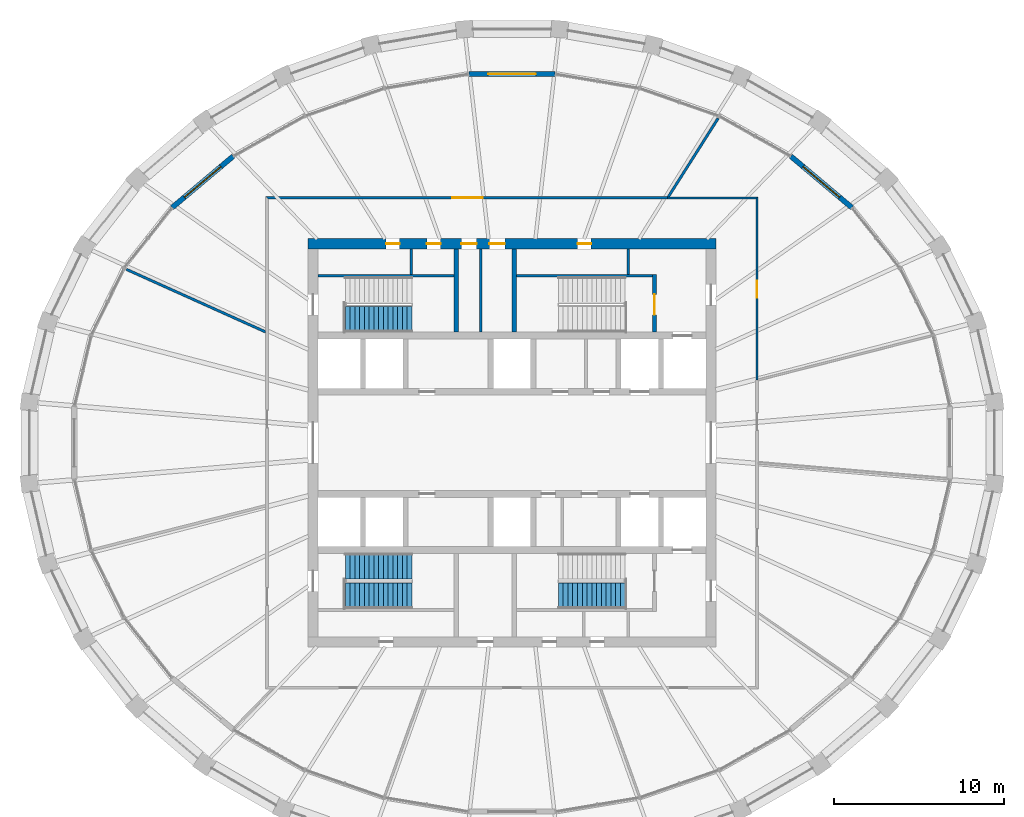
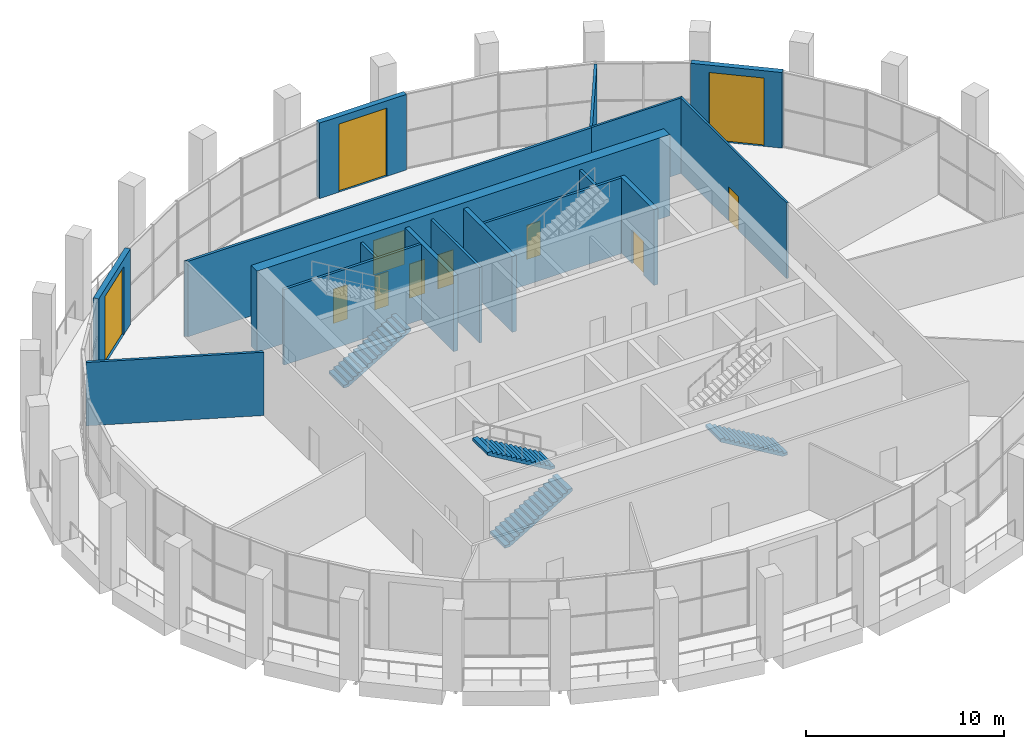
# One storey, part 12 of 15: 17 walls, 11 doors, 4 stair flights, 11 openings, 3 elements without a shape of their own.
"""IFC4 building model written with IfcOpenShell, lengths in metres."""

from ifc_helpers import new_model, si_unit, direction, frame, frame_2d, origin, place, context, subcontext, project, spatial, polyline, rectangle, outline, extrude, material, layer, layer_set, type_object, element, fill, aggregate, save


model = new_model("IFC4")

# Units and contexts
model_context = context("Model", 3, precision=1e-05, world=origin(), true_north=direction((0.0, 1.0)))
body_context = subcontext(model_context, "Body", "Model", "MODEL_VIEW")
ifc_project = project(units=[si_unit("LENGTHUNIT", "METRE"), si_unit("AREAUNIT", "SQUARE_METRE"), si_unit("VOLUMEUNIT", "CUBIC_METRE"), si_unit("PLANEANGLEUNIT", "RADIAN"), si_unit("MASSUNIT", "GRAM", prefix="KILO")], contexts=[model_context])

# Site, building, storey
site_placement = place(None, origin())
site = spatial("IfcSite", under=ifc_project, at=site_placement, CompositionType="ELEMENT")
building_placement = place(site_placement, origin())
building = spatial("IfcBuilding", under=site, at=building_placement, Name="Halqa Exchange Tower", CompositionType="ELEMENT")
storey_placement = place(building_placement, frame((0.0, 0.0, 338.300048828125)))
storey = spatial("IfcBuildingStorey", under=building, at=storey_placement, Name="L79", CompositionType="ELEMENT", Elevation=338.300048828125)

# Walls
ifc_material_1 = material(Name="Gypsum board")
ifc_layer_1 = layer(ifc_material_1, 0.14990234375)
ifc_layer_set_1 = layer_set([ifc_layer_1], Name="Gypsum board")
wall_type_1 = type_object("IfcWallType", Name="Acoustic partition 150", PredefinedType="PARTITIONING", material=ifc_layer_set_1)
wall_1_placement = place(storey_placement, frame((-14.444580078125, 6.5, 0.0), z_axis=(0.0, 0.0, 1.0), x_axis=(-0.912043070278, 0.410094425662, 0.0)))
element("IfcWall", 1, at=wall_1_placement, inside=storey, type_object=wall_type_1, Name="L79-PWL-004", PredefinedType="PARTITIONING", context=body_context, shape_type="SweptSolid", body=[
    extrude(outline(polyline([(0.067138671875, -0.074951171875), (1.8525390625, -0.074951171875), (3.637939453125, -0.074951171875), (5.42333984375, -0.074951171875), (7.208740234375, -0.074951171875), (8.994140625, -0.074951171875), (9.013427734375, 0.000732421875), (9.015625, 0.06689453125), (9.015625, 0.074951171875), (7.21240234375, 0.074951171875), (5.409423828125, 0.074951171875), (3.606201171875, 0.074951171875), (1.80322265625, 0.074951171875), (0.0, 0.074951171875), (0.0, 0.07421875), (0.067138671875, -0.074951171875)])), origin(), (0.0, 0.0, 1.0), 3.89697265625),
])
wall_2_placement = place(storey_placement, frame((12.119384765625, 19.076904296875, 0.0), z_axis=(0.0, 0.0, 1.0), x_axis=(-0.536016173419, -0.844207712493, 0.0)))
element("IfcWall", 2, at=wall_2_placement, inside=storey, type_object=wall_type_1, Name="L79-PWL-010", PredefinedType="PARTITIONING", context=body_context, shape_type="SweptSolid", body=[
    extrude(outline(polyline([(5.49853515625, -0.074951171875), (5.49853515625, -0.07470703125), (5.4765625, -0.0400390625), (5.4892578125, -0.031982421875), (5.472412109375, -0.005615234375), (5.472412109375, -0.005615234375), (5.42138671875, 0.074951171875), (3.6142578125, 0.074951171875), (1.80712890625, 0.074951171875), (0.0, 0.074951171875), (0.004150390625, -0.002685546875), (0.021240234375, -0.074951171875), (1.846923828125, -0.074951171875), (3.6728515625, -0.074951171875), (5.49853515625, -0.074951171875)])), origin(), (0.0, 0.0, 1.0), 4.64990234375),
])

# Wall, opening, door
ifc_material_2 = material(Name="Fire-rated gypsum board")
ifc_layer_2 = layer(ifc_material_2, 0.14990234375)
ifc_layer_set_2 = layer_set([ifc_layer_2], Name="Fire-rated gypsum board")
wall_type_2 = type_object("IfcWallType", Name="Fire partition EI 60 150", PredefinedType="PARTITIONING", material=ifc_layer_set_2)
wall_3_placement = place(storey_placement, frame((-14.47509765625, 14.39990234375, 0.0), z_axis=(0.0, 0.0, 1.0), x_axis=(1.0, 0.0, 0.0)))
wall_3 = element("IfcWall", 3, at=wall_3_placement, inside=storey, type_object=wall_type_2, Name="L79-PWL-005", PredefinedType="PARTITIONING", context=body_context, shape_type="SweptSolid", body=[
    extrude(outline(polyline([(23.625, 0.074951171875), (21.65625, 0.074951171875), (19.6875, 0.074951171875), (17.71875, 0.074951171875), (15.75, 0.074951171875), (13.78125, 0.074951171875), (11.8125, 0.074951171875), (9.843994140625, 0.074951171875), (7.875244140625, 0.074951171875), (5.906494140625, 0.074951171875), (3.937744140625, 0.074951171875), (1.968994140625, 0.074951171875), (0.000244140625, 0.074951171875), (0.150146484375, -0.074951171875), (2.1064453125, -0.074951171875), (4.0625, -0.074951171875), (6.018798828125, -0.074951171875), (7.97509765625, -0.074951171875), (9.931396484375, -0.074951171875), (11.8876953125, -0.074951171875), (13.84375, -0.074951171875), (15.800048828125, -0.074951171875), (17.75634765625, -0.074951171875), (19.71240234375, -0.074951171875), (21.668701171875, -0.074951171875), (23.625, -0.074951171875), (23.625, 0.074951171875)])), origin(), (0.0, 0.0, 1.0), 4.64990234375),
])
opening_1_placement = place(wall_3_placement, frame((10.949951171875, 0.0, 0.0)))
opening_1 = element("IfcOpeningElement", 4, at=opening_1_placement, cuts=wall_3, Name="Opening L79-01", PredefinedType="OPENING", context=body_context, shape_type="SweptSolid", body=[
    extrude(rectangle(XDim=1.800048828125, YDim=2.10009765625, at=frame_2d((0.89990234375, 1.050048828125))), frame((0.0, 0.0869140625, 0.0), z_axis=(0.0, -1.0, 0.0), x_axis=(1.0, 0.0, 0.0)), (0.0, 0.0, 1.0), 0.173828125),
])
ifc_material_3 = material(Name="Steel fire door leaf", Category="steel")
door_type_1 = type_object("IfcDoorType", Name="Fire door FD30S double 1800 x 2100", OperationType="DOUBLE_DOOR_SINGLE_SWING", PredefinedType="DOOR", material=ifc_material_3)
door_1_placement = place(opening_1_placement, origin())
door_1 = element("IfcDoor", 5, at=door_1_placement, inside=storey, type_object=door_type_1, Name="L79-IDR-001", OperationType="DOUBLE_DOOR_SINGLE_SWING", OverallHeight=2.10009765625, OverallWidth=1.800048828125, PredefinedType="DOOR", context=body_context, shape_type="SweptSolid", body=[
    extrude(rectangle(XDim=1.800048828125, YDim=2.10009765625, at=frame_2d((0.89990234375, 1.050048828125))), frame((0.0, 0.02490234375, 0.0), z_axis=(0.0, -1.0, 0.0), x_axis=(1.0, 0.0, 0.0)), (0.0, 0.0, 1.0), 0.050048828125),
])
fill(opening_1, door_1)

# Wall
ifc_material_4 = material(Name="Fire-rated glazing", Category="glass")
ifc_layer_3 = layer(ifc_material_4, 0.1201171875)
ifc_layer_set_3 = layer_set([ifc_layer_3], Name="Fire-rated glazing")
wall_type_3 = type_object("IfcWallType", Name="Glazed fire partition EI 60 120", PredefinedType="PARTITIONING", material=ifc_layer_set_3)
wall_4_placement = place(storey_placement, frame((9.14990234375, 14.39990234375, 0.0), z_axis=(0.0, 0.0, 1.0), x_axis=(1.0, 0.0, 0.0)))
element("IfcWall", 6, at=wall_4_placement, inside=storey, type_object=wall_type_3, Name="L79-PWL-009", PredefinedType="PARTITIONING", context=body_context, shape_type="SweptSolid", body=[
    extrude(outline(polyline([(0.0, -0.06005859375), (1.72998046875, -0.06005859375), (3.4599609375, -0.06005859375), (5.18994140625, -0.06005859375), (5.31005859375, 0.06005859375), (3.5400390625, 0.06005859375), (1.77001953125, 0.06005859375), (0.0, 0.06005859375), (0.0, -0.06005859375)])), origin(), (0.0, 0.0, 1.0), 4.64990234375),
])

# Wall, opening, door
wall_5_placement = place(storey_placement, frame((14.39990234375, 14.4599609375, 0.0), z_axis=(0.0, 0.0, 1.0), x_axis=(0.0, -1.0, 0.0)))
wall_5 = element("IfcWall", 7, at=wall_5_placement, inside=storey, type_object=wall_type_3, Name="L79-PWL-015", PredefinedType="PARTITIONING", context=body_context, shape_type="SweptSolid", body=[
    extrude(outline(polyline([(10.780029296875, 0.06005859375), (8.9833984375, 0.06005859375), (7.186767578125, 0.06005859375), (5.39013671875, 0.06005859375), (3.59326171875, 0.06005859375), (1.796630859375, 0.06005859375), (0.0, 0.06005859375), (0.1201171875, -0.06005859375), (1.896728515625, -0.06005859375), (3.67333984375, -0.06005859375), (5.4501953125, -0.06005859375), (7.226806640625, -0.06005859375), (9.00341796875, -0.06005859375), (10.780029296875, -0.06005859375), (10.780029296875, 0.06005859375)])), origin(), (0.0, 0.0, 1.0), 4.64990234375),
])
opening_2_placement = place(wall_5_placement, frame((4.919921875, 0.0, 0.0)))
opening_2 = element("IfcOpeningElement", 8, at=opening_2_placement, cuts=wall_5, Name="Opening L79-09", PredefinedType="OPENING", context=body_context, shape_type="SweptSolid", body=[
    extrude(rectangle(XDim=1.0, YDim=2.10009765625, at=frame_2d((0.5, 1.050048828125))), frame((0.0, 0.072021484375, 0.0), z_axis=(0.0, -1.0, 0.0), x_axis=(1.0, 0.0, 0.0)), (0.0, 0.0, 1.0), 0.14404296875),
])
door_type_2 = type_object("IfcDoorType", Name="Fire door FD30S 1000 x 2100", OperationType="SINGLE_SWING_LEFT", PredefinedType="DOOR", material=ifc_material_3)
door_2_placement = place(opening_2_placement, origin())
door_2 = element("IfcDoor", 9, at=door_2_placement, inside=storey, type_object=door_type_2, Name="L79-IDR-009", OperationType="SINGLE_SWING_LEFT", OverallHeight=2.10009765625, OverallWidth=1.0, PredefinedType="DOOR", context=body_context, shape_type="SweptSolid", body=[
    extrude(rectangle(XDim=1.0, YDim=2.10009765625, at=frame_2d((0.5, 1.050048828125))), frame((0.0, 0.02490234375, 0.0), z_axis=(0.0, -1.0, 0.0), x_axis=(1.0, 0.0, 0.0)), (0.0, 0.0, 1.0), 0.050048828125),
])
fill(opening_2, door_2)

# Walls
ifc_layer_4 = layer(ifc_material_1, 0.14990234375)
ifc_layer_set_4 = layer_set([ifc_layer_4], Name="Gypsum board")
wall_type_4 = type_object("IfcWallType", Name="Penthouse riser wall 150 gypsum", PredefinedType="PARTITIONING", material=ifc_layer_set_4)
wall_6_placement = place(storey_placement, frame((-1.824951171875, 6.5, 0.0), z_axis=(0.0, 0.0, 1.0), x_axis=(0.0, 1.0, 0.0)))
element("IfcWall", 10, at=wall_6_placement, inside=storey, type_object=wall_type_4, Name="Partition W1.825 N", PredefinedType="PARTITIONING", context=body_context, shape_type="SweptSolid", body=[
    extrude(rectangle(XDim=4.89990234375, YDim=0.14990234375, at=frame_2d((2.449951171875, 0.0))), origin(), (0.0, 0.0, 1.0), 4.64990234375),
])
for number, where, z_axis, x_axis, name in (
    (11, (-5.925048828125, 9.89990234375, 0.0), (0.0, 0.0, 1.0), (0.0, 1.0, 0.0), "Partition W5.925 N"),
    (12, (6.824951171875, 9.89990234375, 0.0), (0.0, 0.0, 1.0), (0.0, 1.0, 0.0), "Firefighting lobby west wall N"),
):
    element("IfcWall", number, at=place(storey_placement, frame(where, z_axis=z_axis, x_axis=x_axis)), inside=storey, type_object=wall_type_4, Name=name, PredefinedType="PARTITIONING", context=body_context, shape_type="SweptSolid", body=[
        extrude(rectangle(XDim=1.5, YDim=0.14990234375, at=frame_2d((0.75, 0.0))), origin(), (0.0, 0.0, 1.0), 4.64990234375),
    ])

# Wall, openings, doors
ifc_material_5 = material(Name="Concrete C60/75", Category="concrete")
ifc_layer_5 = layer(ifc_material_5, 0.60009765625)
ifc_layer_set_5 = layer_set([ifc_layer_5], Name="Concrete C60/75")
wall_type_5 = type_object("IfcWallType", Name="RC core wall 600 C60/75", PredefinedType="SHEAR", material=ifc_layer_set_5)
wall_7_placement = place(storey_placement, frame((-12.0, 11.699951171875, 0.0), z_axis=(0.0, 0.0, 1.0), x_axis=(1.0, 0.0, 0.0)))
wall_7 = element("IfcWall", 13, at=wall_7_placement, inside=storey, type_object=wall_type_5, Name="Core wall north", PredefinedType="SHEAR", context=body_context, shape_type="SweptSolid", body=[
    extrude(rectangle(XDim=24.0, YDim=0.60009765625, at=frame_2d((12.0, 0.0))), origin(), (0.0, 0.0, 1.0), 5.0),
])
opening_3_placement = place(wall_7_placement, frame((9.02490234375, 0.0, 0.0)))
opening_3 = element("IfcOpeningElement", 14, at=opening_3_placement, cuts=wall_7, Name="Opening L79-C13", PredefinedType="OPENING", context=body_context, shape_type="SweptSolid", body=[
    extrude(rectangle(XDim=0.89990234375, YDim=2.10009765625, at=frame_2d((0.449951171875, 1.050048828125))), frame((0.0, 0.31201171875, 0.0), z_axis=(0.0, -1.0, 0.0), x_axis=(1.0, 0.0, 0.0)), (0.0, 0.0, 1.0), 0.6240234375),
])
opening_4_placement = place(wall_7_placement, frame((10.675048828125, 0.0, 0.0)))
opening_4 = element("IfcOpeningElement", 15, at=opening_4_placement, cuts=wall_7, Name="Opening L79-C14", PredefinedType="OPENING", context=body_context, shape_type="SweptSolid", body=[
    extrude(rectangle(XDim=0.89990234375, YDim=2.10009765625, at=frame_2d((0.449951171875, 1.050048828125))), frame((0.0, 0.31201171875, 0.0), z_axis=(0.0, -1.0, 0.0), x_axis=(1.0, 0.0, 0.0)), (0.0, 0.0, 1.0), 0.6240234375),
])
opening_5_placement = place(wall_7_placement, frame((4.60009765625, 0.0, 0.0)))
opening_5 = element("IfcOpeningElement", 16, at=opening_5_placement, cuts=wall_7, Name="Opening L79-C15", PredefinedType="OPENING", context=body_context, shape_type="SweptSolid", body=[
    extrude(rectangle(XDim=0.800048828125, YDim=2.10009765625, at=frame_2d((0.39990234375, 1.050048828125))), frame((0.0, 0.31201171875, 0.0), z_axis=(0.0, -1.0, 0.0), x_axis=(1.0, 0.0, 0.0)), (0.0, 0.0, 1.0), 0.6240234375),
])
opening_6_placement = place(wall_7_placement, frame((7.0, 0.0, 0.0)))
opening_6 = element("IfcOpeningElement", 17, at=opening_6_placement, cuts=wall_7, Name="Opening L79-C16", PredefinedType="OPENING", context=body_context, shape_type="SweptSolid", body=[
    extrude(rectangle(XDim=0.800048828125, YDim=2.10009765625, at=frame_2d((0.39990234375, 1.050048828125))), frame((0.0, 0.31201171875, 0.0), z_axis=(0.0, -1.0, 0.0), x_axis=(1.0, 0.0, 0.0)), (0.0, 0.0, 1.0), 0.6240234375),
])
opening_7_placement = place(wall_7_placement, frame((15.85009765625, 0.0, 0.0)))
opening_7 = element("IfcOpeningElement", 18, at=opening_7_placement, cuts=wall_7, Name="Opening L79-C17", PredefinedType="OPENING", context=body_context, shape_type="SweptSolid", body=[
    extrude(rectangle(XDim=0.800048828125, YDim=2.10009765625, at=frame_2d((0.39990234375, 1.050048828125))), frame((0.0, 0.31201171875, 0.0), z_axis=(0.0, -1.0, 0.0), x_axis=(1.0, 0.0, 0.0)), (0.0, 0.0, 1.0), 0.6240234375),
])
ifc_material_6 = material(Name="Timber fire door leaf", Category="wood")
door_type_3 = type_object("IfcDoorType", Name="Core room door FD30 900 x 2100", OperationType="SINGLE_SWING_LEFT", PredefinedType="DOOR", material=ifc_material_6)
door_3_placement = place(opening_3_placement, frame((0.89990234375, 0.0, 0.0), z_axis=(0.0, 0.0, 1.0), x_axis=(-1.0, 0.0, 0.0)))
door_3 = element("IfcDoor", 19, at=door_3_placement, inside=storey, type_object=door_type_3, Name="Core room door", OperationType="SINGLE_SWING_RIGHT", OverallHeight=2.10009765625, OverallWidth=0.89990234375, PredefinedType="DOOR", context=body_context, shape_type="SweptSolid", body=[
    extrude(rectangle(XDim=0.89990234375, YDim=2.10009765625, at=frame_2d((0.449951171875, 1.050048828125))), frame((0.0, 0.02490234375, 0.0), z_axis=(0.0, -1.0, 0.0), x_axis=(1.0, 0.0, 0.0)), (0.0, 0.0, 1.0), 0.050048828125),
])
fill(opening_3, door_3)
door_4_placement = place(opening_4_placement, frame((0.89990234375, 0.0, 0.0), z_axis=(0.0, 0.0, 1.0), x_axis=(-1.0, 0.0, 0.0)))
door_4 = element("IfcDoor", 20, at=door_4_placement, inside=storey, type_object=door_type_3, Name="Core room door", OperationType="SINGLE_SWING_LEFT", OverallHeight=2.10009765625, OverallWidth=0.89990234375, PredefinedType="DOOR", context=body_context, shape_type="SweptSolid", body=[
    extrude(rectangle(XDim=0.89990234375, YDim=2.10009765625, at=frame_2d((0.449951171875, 1.050048828125))), frame((0.0, 0.02490234375, 0.0), z_axis=(0.0, -1.0, 0.0), x_axis=(1.0, 0.0, 0.0)), (0.0, 0.0, 1.0), 0.050048828125),
])
fill(opening_4, door_4)
door_type_4 = type_object("IfcDoorType", Name="Riser door FD60 800 x 2100", OperationType="SINGLE_SWING_LEFT", PredefinedType="DOOR", material=ifc_material_3)
door_5_placement = place(opening_5_placement, frame((0.800048828125, 0.0, 0.0), z_axis=(0.0, 0.0, 1.0), x_axis=(-1.0, 0.0, 0.0)))
door_5 = element("IfcDoor", 21, at=door_5_placement, inside=storey, type_object=door_type_4, Name="Core room door", OperationType="SINGLE_SWING_RIGHT", OverallHeight=2.10009765625, OverallWidth=0.800048828125, PredefinedType="DOOR", context=body_context, shape_type="SweptSolid", body=[
    extrude(rectangle(XDim=0.800048828125, YDim=2.10009765625, at=frame_2d((0.39990234375, 1.050048828125))), frame((0.0, 0.02490234375, 0.0), z_axis=(0.0, -1.0, 0.0), x_axis=(1.0, 0.0, 0.0)), (0.0, 0.0, 1.0), 0.050048828125),
])
fill(opening_5, door_5)
door_6_placement = place(opening_6_placement, frame((0.800048828125, 0.0, 0.0), z_axis=(0.0, 0.0, 1.0), x_axis=(-1.0, 0.0, 0.0)))
door_6 = element("IfcDoor", 22, at=door_6_placement, inside=storey, type_object=door_type_4, Name="Core room door", OperationType="SINGLE_SWING_LEFT", OverallHeight=2.10009765625, OverallWidth=0.800048828125, PredefinedType="DOOR", context=body_context, shape_type="SweptSolid", body=[
    extrude(rectangle(XDim=0.800048828125, YDim=2.10009765625, at=frame_2d((0.39990234375, 1.050048828125))), frame((0.0, 0.02490234375, 0.0), z_axis=(0.0, -1.0, 0.0), x_axis=(1.0, 0.0, 0.0)), (0.0, 0.0, 1.0), 0.050048828125),
])
fill(opening_6, door_6)
door_7_placement = place(opening_7_placement, frame((0.800048828125, 0.0, 0.0), z_axis=(0.0, 0.0, 1.0), x_axis=(-1.0, 0.0, 0.0)))
door_7 = element("IfcDoor", 23, at=door_7_placement, inside=storey, type_object=door_type_4, Name="Core room door", OperationType="SINGLE_SWING_RIGHT", OverallHeight=2.10009765625, OverallWidth=0.800048828125, PredefinedType="DOOR", context=body_context, shape_type="SweptSolid", body=[
    extrude(rectangle(XDim=0.800048828125, YDim=2.10009765625, at=frame_2d((0.39990234375, 1.050048828125))), frame((0.0, 0.02490234375, 0.0), z_axis=(0.0, -1.0, 0.0), x_axis=(1.0, 0.0, 0.0)), (0.0, 0.0, 1.0), 0.050048828125),
])
fill(opening_7, door_7)

# Walls
ifc_material_7 = material(Name="Concrete C30/37", Category="concrete")
ifc_layer_6 = layer(ifc_material_7, 0.14990234375)
ifc_layer_set_6 = layer_set([ifc_layer_6], Name="Concrete C30/37")
wall_type_6 = type_object("IfcWallType", Name="RC stair wall 150 C30/37", PredefinedType="SHEAR", material=ifc_layer_set_6)
for number, where, z_axis, x_axis, name in (
    (24, (-11.39990234375, 9.824951171875, 0.0), (0.0, 0.0, 1.0), (1.0, 0.0, 0.0), "Stair ST1 north wall N"),
    (25, (0.25, 9.824951171875, 0.0), (0.0, 0.0, 1.0), (1.0, 0.0, 0.0), "Stair ST2 north wall N"),
):
    element("IfcWall", number, at=place(storey_placement, frame(where, z_axis=z_axis, x_axis=x_axis)), inside=storey, type_object=wall_type_6, Name=name, PredefinedType="SHEAR", context=body_context, shape_type="SweptSolid", body=[
        extrude(rectangle(XDim=8.0, YDim=0.14990234375, at=frame_2d((4.0, 0.0))), origin(), (0.0, 0.0, 1.0), 4.64990234375),
    ])
ifc_layer_7 = layer(ifc_material_7, 0.25)
ifc_layer_set_7 = layer_set([ifc_layer_7], Name="Concrete C30/37")
wall_type_7 = type_object("IfcWallType", Name="RC stair wall 250 C30/37", PredefinedType="SHEAR", material=ifc_layer_set_7)
for number, where, z_axis, x_axis, name in (
    (26, (-3.27490234375, 6.5, 0.0), (0.0, 0.0, 1.0), (0.0, 1.0, 0.0), "Stair ST1 east wall N"),
    (27, (0.125, 6.5, 0.0), (0.0, 0.0, 1.0), (0.0, 1.0, 0.0), "Stair ST2 west wall N"),
):
    element("IfcWall", number, at=place(storey_placement, frame(where, z_axis=z_axis, x_axis=x_axis)), inside=storey, type_object=wall_type_7, Name=name, PredefinedType="SHEAR", context=body_context, shape_type="SweptSolid", body=[
        extrude(rectangle(XDim=4.89990234375, YDim=0.25, at=frame_2d((2.449951171875, 0.0))), origin(), (0.0, 0.0, 1.0), 4.64990234375),
    ])

# Wall, opening, door
wall_8_placement = place(storey_placement, frame((8.375, 6.5, 0.0), z_axis=(0.0, 0.0, 1.0), x_axis=(0.0, 1.0, 0.0)))
wall_8 = element("IfcWall", 28, at=wall_8_placement, inside=storey, type_object=wall_type_7, Name="Stair ST2 east wall N", PredefinedType="SHEAR", context=body_context, shape_type="SweptSolid", body=[
    extrude(rectangle(XDim=3.39990234375, YDim=0.25, at=frame_2d((1.699951171875, 0.0))), origin(), (0.0, 0.0, 1.0), 4.64990234375),
])
opening_8_placement = place(wall_8_placement, frame((1.02490234375, 0.0, 0.0)))
opening_8 = element("IfcOpeningElement", 29, at=opening_8_placement, cuts=wall_8, Name="Opening L79-C08", PredefinedType="OPENING", context=body_context, shape_type="SweptSolid", body=[
    extrude(rectangle(XDim=1.199951171875, YDim=2.10009765625, at=frame_2d((0.60009765625, 1.050048828125))), frame((0.0, 0.136962890625, 0.0), z_axis=(0.0, -1.0, 0.0), x_axis=(1.0, 0.0, 0.0)), (0.0, 0.0, 1.0), 0.27392578125),
])
door_type_5 = type_object("IfcDoorType", Name="Stair door FD90 1200 x 2100", OperationType="SINGLE_SWING_LEFT", PredefinedType="DOOR", material=ifc_material_3)
door_8_placement = place(opening_8_placement, origin())
door_8 = element("IfcDoor", 30, at=door_8_placement, inside=storey, type_object=door_type_5, Name="Stair door ST2", OperationType="SINGLE_SWING_RIGHT", OverallHeight=2.10009765625, OverallWidth=1.199951171875, PredefinedType="DOOR", context=body_context, shape_type="SweptSolid", body=[
    extrude(rectangle(XDim=1.199951171875, YDim=2.10009765625, at=frame_2d((0.60009765625, 1.050048828125))), frame((0.0, 0.02490234375, 0.0), z_axis=(0.0, -1.0, 0.0), x_axis=(1.0, 0.0, 0.0)), (0.0, 0.0, 1.0), 0.050048828125),
])
fill(opening_8, door_8)

ifc_material_8 = material(Name="Limestone cladding", Category="masonry")
ifc_layer_8 = layer(ifc_material_8, 0.0400390625)
ifc_material_9 = material(Name="Ventilated cavity")
ifc_layer_9 = layer(ifc_material_9, 0.030029296875, ventilated=True)
ifc_material_10 = material(Name="Mineral wool insulation")
ifc_layer_10 = layer(ifc_material_10, 0.10009765625)
ifc_layer_11 = layer(ifc_material_7, 0.10009765625)
ifc_material_11 = material(Name="Internal plaster")
ifc_layer_12 = layer(ifc_material_11, 0.030029296875)
ifc_layer_set_8 = layer_set([ifc_layer_8, ifc_layer_9, ifc_layer_10, ifc_layer_11, ifc_layer_12], Name="Stone-faced insulated wall 300")
wall_type_8 = type_object("IfcWallType", Name="Stone-faced insulated wall 300", PredefinedType="STANDARD", material=ifc_layer_set_8)
wall_9_placement = place(storey_placement, frame((19.974609375, 13.826171875, 0.0), z_axis=(0.0, 0.0, 1.0), x_axis=(-0.765128700347, 0.643877373344, 0.0)))
wall_9 = element("IfcWall", 31, at=wall_9_placement, inside=storey, type_object=wall_type_8, Name="Glass-line wall 4", PredefinedType="STANDARD", context=body_context, shape_type="SweptSolid", body=[
    extrude(outline(polyline([(0.0, -0.14990234375), (4.685546875, -0.14990234375), (4.685546875, 0.14990234375), (0.0, 0.14990234375), (0.0, -0.14990234375)])), origin(), (0.0, 0.0, 1.0), 4.64990234375),
])
opening_9_placement = place(wall_9_placement, frame((0.942626953125, 0.0, 0.0)))
opening_9 = element("IfcOpeningElement", 32, at=opening_9_placement, cuts=wall_9, Name="Opening LGX-F4-01", PredefinedType="OPENING", context=body_context, shape_type="SweptSolid", body=[
    extrude(rectangle(XDim=2.800048828125, YDim=4.199951171875, at=frame_2d((1.39990234375, 2.10009765625))), frame((0.0, 0.162109375, 0.0), z_axis=(0.0, -1.0, 0.0), x_axis=(1.0, 0.0, 0.0)), (0.0, 0.0, 1.0), 0.323974609375),
])
ifc_material_12 = material(Name="Clear low-emissivity glass in aluminium frame", Category="aluminium")
door_type_6 = type_object("IfcDoorType", Name="Glazed sliding balcony door 2800 x 4200", OperationType="DOUBLE_DOOR_SLIDING", PredefinedType="DOOR", material=ifc_material_12)
door_9_placement = place(opening_9_placement, origin())
door_9 = element("IfcDoor", 33, at=door_9_placement, inside=storey, type_object=door_type_6, Name="Loggia door 1", OperationType="DOUBLE_DOOR_SLIDING", OverallHeight=4.199951171875, OverallWidth=2.800048828125, PredefinedType="DOOR", context=body_context, shape_type="SweptSolid", body=[
    extrude(rectangle(XDim=2.800048828125, YDim=4.199951171875, at=frame_2d((1.39990234375, 2.10009765625))), frame((0.0, 0.02490234375, 0.0), z_axis=(0.0, -1.0, 0.0), x_axis=(1.0, 0.0, 0.0)), (0.0, 0.0, 1.0), 0.050048828125),
])
fill(opening_9, door_9)

wall_10_placement = place(storey_placement, frame((2.531494140625, 21.674560546875, 0.0), z_axis=(0.0, 0.0, 1.0), x_axis=(-1.0, 0.0, 0.0)))
wall_10 = element("IfcWall", 34, at=wall_10_placement, inside=storey, type_object=wall_type_8, Name="Glass-line wall 8", PredefinedType="STANDARD", context=body_context, shape_type="SweptSolid", body=[
    extrude(outline(polyline([(0.0, -0.14990234375), (5.06298828125, -0.14990234375), (5.06298828125, 0.14990234375), (0.0, 0.14990234375), (0.0, -0.14990234375)])), origin(), (0.0, 0.0, 1.0), 4.64990234375),
])
opening_10_placement = place(wall_10_placement, frame((1.131591796875, 0.0, 0.0)))
opening_10 = element("IfcOpeningElement", 35, at=opening_10_placement, cuts=wall_10, Name="Opening LGX-F4-02", PredefinedType="OPENING", context=body_context, shape_type="SweptSolid", body=[
    extrude(rectangle(XDim=2.800048828125, YDim=4.199951171875, at=frame_2d((1.39990234375, 2.10009765625))), frame((0.0, 0.162109375, 0.0), z_axis=(0.0, -1.0, 0.0), x_axis=(1.0, 0.0, 0.0)), (0.0, 0.0, 1.0), 0.323974609375),
])
door_10_placement = place(opening_10_placement, origin())
door_10 = element("IfcDoor", 36, at=door_10_placement, inside=storey, type_object=door_type_6, Name="Loggia door 2", OperationType="DOUBLE_DOOR_SLIDING", OverallHeight=4.199951171875, OverallWidth=2.800048828125, PredefinedType="DOOR", context=body_context, shape_type="SweptSolid", body=[
    extrude(rectangle(XDim=2.800048828125, YDim=4.199951171875, at=frame_2d((1.39990234375, 2.10009765625))), frame((0.0, 0.02490234375, 0.0), z_axis=(0.0, -1.0, 0.0), x_axis=(1.0, 0.0, 0.0)), (0.0, 0.0, 1.0), 0.050048828125),
])
fill(opening_10, door_10)

wall_11_placement = place(storey_placement, frame((-16.3896484375, 16.843017578125, 0.0), z_axis=(0.0, 0.0, 1.0), x_axis=(-0.765128700347, -0.643877373344, 0.0)))
wall_11 = element("IfcWall", 37, at=wall_11_placement, inside=storey, type_object=wall_type_8, Name="Glass-line wall 12", PredefinedType="STANDARD", context=body_context, shape_type="SweptSolid", body=[
    extrude(outline(polyline([(0.0, -0.14990234375), (4.685546875, -0.14990234375), (4.685546875, 0.14990234375), (0.0, 0.14990234375), (0.0, -0.14990234375)])), origin(), (0.0, 0.0, 1.0), 4.64990234375),
])
opening_11_placement = place(wall_11_placement, frame((0.942626953125, 0.0, 0.0)))
opening_11 = element("IfcOpeningElement", 38, at=opening_11_placement, cuts=wall_11, Name="Opening LGX-F4-03", PredefinedType="OPENING", context=body_context, shape_type="SweptSolid", body=[
    extrude(rectangle(XDim=2.800048828125, YDim=4.199951171875, at=frame_2d((1.39990234375, 2.10009765625))), frame((0.0, 0.162109375, 0.0), z_axis=(0.0, -1.0, 0.0), x_axis=(1.0, 0.0, 0.0)), (0.0, 0.0, 1.0), 0.323974609375),
])
door_11_placement = place(opening_11_placement, origin())
door_11 = element("IfcDoor", 39, at=door_11_placement, inside=storey, type_object=door_type_6, Name="Loggia door 3", OperationType="DOUBLE_DOOR_SLIDING", OverallHeight=4.199951171875, OverallWidth=2.800048828125, PredefinedType="DOOR", context=body_context, shape_type="SweptSolid", body=[
    extrude(rectangle(XDim=2.800048828125, YDim=4.199951171875, at=frame_2d((1.39990234375, 2.10009765625))), frame((0.0, 0.02490234375, 0.0), z_axis=(0.0, -1.0, 0.0), x_axis=(1.0, 0.0, 0.0)), (0.0, 0.0, 1.0), 0.050048828125),
])
fill(opening_11, door_11)

# Stair, stair flight
stair_type = type_object("IfcStairType", Name="Exit stair 1500 wide", PredefinedType="HALF_TURN_STAIR", material=ifc_material_7)
stair_1_placement = place(storey_placement, origin())
stair_1 = element("IfcStair", 40, at=stair_1_placement, inside=storey, type_object=stair_type, Name="Exit stair ST1", PredefinedType="HALF_TURN_STAIR")
stair_flight_type = type_object("IfcStairFlightType", Name="Stair flight 1500 wide", PredefinedType="STRAIGHT", material=ifc_material_7)
stair_flight_1_placement = place(storey_placement, frame((-9.800048828125, 7.25, 0.0), z_axis=(0.0, 0.0, 1.0), x_axis=(1.0, 0.0, 0.0)))
stair_flight_1 = element("IfcStairFlight", 41, at=stair_flight_1_placement, type_object=stair_flight_type, Name="ST1 flight 1", NumberOfRisers=15, NumberOfTreads=14, PredefinedType="STRAIGHT", RiserHeight=0.166666667, TreadLength=0.28, context=body_context, shape_type="SweptSolid", body=[
    extrude(outline(polyline([(0.0, 0.0), (0.0, 0.166748046875), (0.280029296875, 0.166748046875), (0.280029296875, 0.333251953125), (0.56005859375, 0.333251953125), (0.56005859375, 0.5), (0.840087890625, 0.5), (0.840087890625, 0.666748046875), (1.1201171875, 0.666748046875), (1.1201171875, 0.833251953125), (1.39990234375, 0.833251953125), (1.39990234375, 1.0), (1.679931640625, 1.0), (1.679931640625, 1.166748046875), (1.9599609375, 1.166748046875), (1.9599609375, 1.333251953125), (2.239990234375, 1.333251953125), (2.239990234375, 1.5), (2.52001953125, 1.5), (2.52001953125, 1.666748046875), (2.800048828125, 1.666748046875), (2.800048828125, 1.833251953125), (3.080078125, 1.833251953125), (3.080078125, 2.0), (3.360107421875, 2.0), (3.360107421875, 2.166748046875), (3.639892578125, 2.166748046875), (3.639892578125, 2.333251953125), (3.919921875, 2.333251953125), (3.919921875, 2.5), (3.919921875, 2.158935546875), (0.29296875, 0.0), (0.0, 0.0)])), frame((0.0, 0.75, 0.0), z_axis=(0.0, -1.0, 0.0), x_axis=(1.0, 0.0, 0.0)), (0.0, 0.0, 1.0), 1.5),
])
aggregate(stair_1, [stair_flight_1])

# Stair, stair flights
stair_2_placement = place(storey_placement, origin())
stair_2 = element("IfcStair", 42, at=stair_2_placement, inside=storey, type_object=stair_type, Name="Exit stair ST3", PredefinedType="HALF_TURN_STAIR")
stair_flight_2_placement = place(storey_placement, frame((-9.800048828125, -9.0, 0.0), z_axis=(0.0, 0.0, 1.0), x_axis=(1.0, 0.0, 0.0)))
stair_flight_2 = element("IfcStairFlight", 43, at=stair_flight_2_placement, type_object=stair_flight_type, Name="ST3 flight 1", NumberOfRisers=15, NumberOfTreads=14, PredefinedType="STRAIGHT", RiserHeight=0.166666667, TreadLength=0.28, context=body_context, shape_type="SweptSolid", body=[
    extrude(outline(polyline([(0.0, 0.0), (0.0, 0.166748046875), (0.280029296875, 0.166748046875), (0.280029296875, 0.333251953125), (0.56005859375, 0.333251953125), (0.56005859375, 0.5), (0.840087890625, 0.5), (0.840087890625, 0.666748046875), (1.1201171875, 0.666748046875), (1.1201171875, 0.833251953125), (1.39990234375, 0.833251953125), (1.39990234375, 1.0), (1.679931640625, 1.0), (1.679931640625, 1.166748046875), (1.9599609375, 1.166748046875), (1.9599609375, 1.333251953125), (2.239990234375, 1.333251953125), (2.239990234375, 1.5), (2.52001953125, 1.5), (2.52001953125, 1.666748046875), (2.800048828125, 1.666748046875), (2.800048828125, 1.833251953125), (3.080078125, 1.833251953125), (3.080078125, 2.0), (3.360107421875, 2.0), (3.360107421875, 2.166748046875), (3.639892578125, 2.166748046875), (3.639892578125, 2.333251953125), (3.919921875, 2.333251953125), (3.919921875, 2.5), (3.919921875, 2.158935546875), (0.29296875, 0.0), (0.0, 0.0)])), frame((0.0, 0.75, 0.0), z_axis=(0.0, -1.0, 0.0), x_axis=(1.0, 0.0, 0.0)), (0.0, 0.0, 1.0), 1.5),
])
stair_flight_3_placement = place(storey_placement, frame((-5.8798828125, -7.25, 2.5), z_axis=(0.0, 0.0, 1.0), x_axis=(-1.0, 0.0, 0.0)))
stair_flight_3 = element("IfcStairFlight", 44, at=stair_flight_3_placement, type_object=stair_flight_type, Name="ST3 flight 2", NumberOfRisers=15, NumberOfTreads=14, PredefinedType="STRAIGHT", RiserHeight=0.166666667, TreadLength=0.28, context=body_context, shape_type="SweptSolid", body=[
    extrude(outline(polyline([(0.0, 0.0), (0.0, 0.166748046875), (0.280029296875, 0.166748046875), (0.280029296875, 0.333251953125), (0.56005859375, 0.333251953125), (0.56005859375, 0.5), (0.840087890625, 0.5), (0.840087890625, 0.666748046875), (1.1201171875, 0.666748046875), (1.1201171875, 0.833251953125), (1.39990234375, 0.833251953125), (1.39990234375, 1.0), (1.679931640625, 1.0), (1.679931640625, 1.166748046875), (1.9599609375, 1.166748046875), (1.9599609375, 1.333251953125), (2.239990234375, 1.333251953125), (2.239990234375, 1.5), (2.52001953125, 1.5), (2.52001953125, 1.666748046875), (2.800048828125, 1.666748046875), (2.800048828125, 1.833251953125), (3.080078125, 1.833251953125), (3.080078125, 2.0), (3.360107421875, 2.0), (3.360107421875, 2.166748046875), (3.639892578125, 2.166748046875), (3.639892578125, 2.333251953125), (3.919921875, 2.333251953125), (3.919921875, 2.5), (3.919921875, 2.158935546875), (0.29296875, 0.0), (0.0, 0.0)])), frame((0.0, 0.75, 0.0), z_axis=(0.0, -1.0, 0.0), x_axis=(1.0, 0.0, 0.0)), (0.0, 0.0, 1.0), 1.5),
])
aggregate(stair_2, [stair_flight_2, stair_flight_3])

# Stair, stair flight
stair_3_placement = place(storey_placement, origin())
stair_3 = element("IfcStair", 45, at=stair_3_placement, inside=storey, type_object=stair_type, Name="Exit stair ST4", PredefinedType="HALF_TURN_STAIR")
stair_flight_4_placement = place(storey_placement, frame((6.64990234375, -9.0, 0.0), z_axis=(0.0, 0.0, 1.0), x_axis=(-1.0, 0.0, 0.0)))
stair_flight_4 = element("IfcStairFlight", 46, at=stair_flight_4_placement, type_object=stair_flight_type, Name="ST4 flight 1", NumberOfRisers=15, NumberOfTreads=14, PredefinedType="STRAIGHT", RiserHeight=0.166666667, TreadLength=0.28, context=body_context, shape_type="SweptSolid", body=[
    extrude(outline(polyline([(0.0, 0.0), (0.0, 0.166748046875), (0.280029296875, 0.166748046875), (0.280029296875, 0.333251953125), (0.56005859375, 0.333251953125), (0.56005859375, 0.5), (0.840087890625, 0.5), (0.840087890625, 0.666748046875), (1.1201171875, 0.666748046875), (1.1201171875, 0.833251953125), (1.39990234375, 0.833251953125), (1.39990234375, 1.0), (1.679931640625, 1.0), (1.679931640625, 1.166748046875), (1.9599609375, 1.166748046875), (1.9599609375, 1.333251953125), (2.239990234375, 1.333251953125), (2.239990234375, 1.5), (2.52001953125, 1.5), (2.52001953125, 1.666748046875), (2.800048828125, 1.666748046875), (2.800048828125, 1.833251953125), (3.080078125, 1.833251953125), (3.080078125, 2.0), (3.360107421875, 2.0), (3.360107421875, 2.166748046875), (3.639892578125, 2.166748046875), (3.639892578125, 2.333251953125), (3.919921875, 2.333251953125), (3.919921875, 2.5), (3.919921875, 2.158935546875), (0.29296875, 0.0), (0.0, 0.0)])), frame((0.0, 0.75, 0.0), z_axis=(0.0, -1.0, 0.0), x_axis=(1.0, 0.0, 0.0)), (0.0, 0.0, 1.0), 1.5),
])
aggregate(stair_3, [stair_flight_4])

save(model, "model.ifc")
